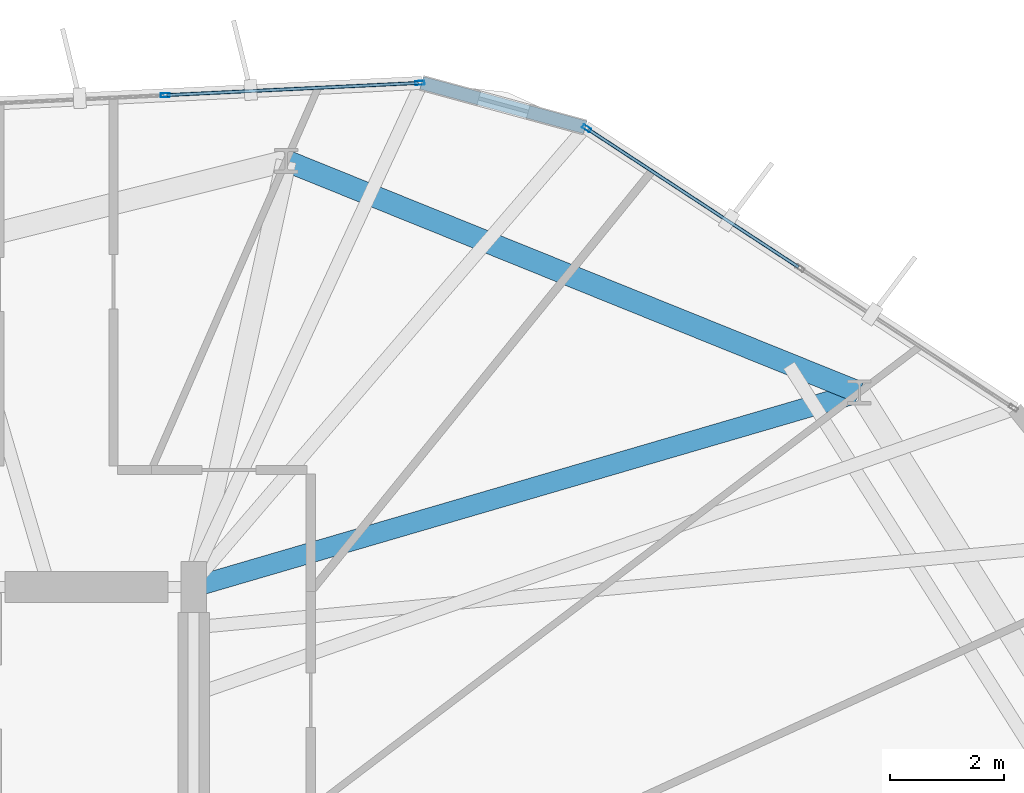
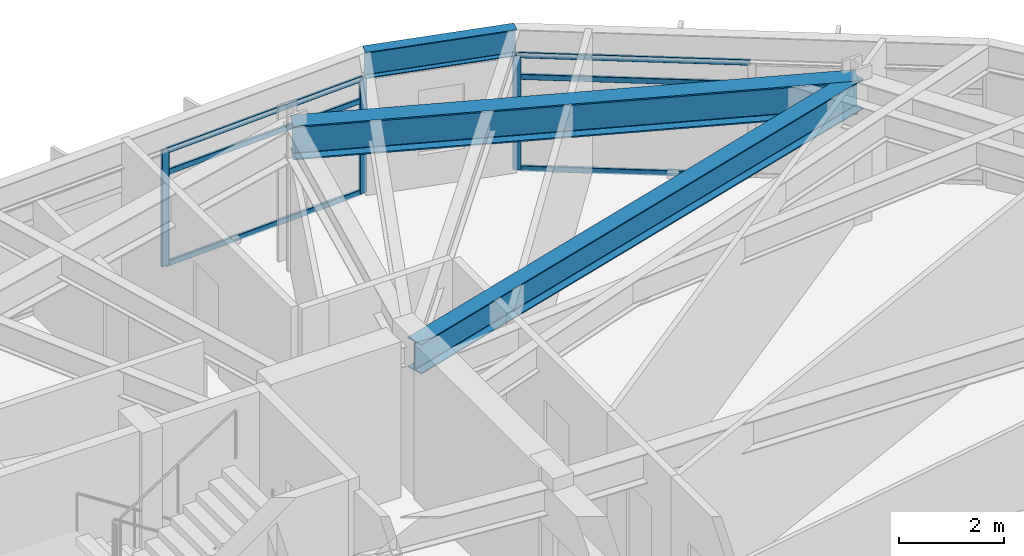
# One storey, part 15 of 23: 9 members, 3 beams, 2 elements without a shape of their own.
"""IFC4 building model written with IfcOpenShell, lengths in metres."""

from ifc_helpers import new_model, si_unit, direction, frame, origin, origin_2d, place, context, subcontext, project, spatial, hollow_rectangle, i_section, extrude, material, layer, layer_set, material_profile, profile_set, type_object, element, aggregate, save


model = new_model("IFC4")

# Units and contexts
model_context = context("Model", 3, precision=1e-05, world=origin(), true_north=direction((0.0, 1.0)))
body_context = subcontext(model_context, "Body", "Model", "MODEL_VIEW")
ifc_project = project(units=[si_unit("LENGTHUNIT", "METRE"), si_unit("AREAUNIT", "SQUARE_METRE"), si_unit("VOLUMEUNIT", "CUBIC_METRE"), si_unit("PLANEANGLEUNIT", "RADIAN"), si_unit("MASSUNIT", "GRAM", prefix="KILO")], contexts=[model_context])

# Site, building, storey
site_placement = place(None, origin())
site = spatial("IfcSite", under=ifc_project, at=site_placement, CompositionType="ELEMENT")
building_placement = place(site_placement, origin())
building = spatial("IfcBuilding", under=site, at=building_placement, Name="Soratama Intermodal Tower", CompositionType="ELEMENT")
storey_placement = place(building_placement, frame((0.0, 0.0, 175.0)))
storey = spatial("IfcBuildingStorey", under=building, at=storey_placement, Name="L43", CompositionType="ELEMENT", Elevation=175.0)

# Beams
ifc_material_1 = material(Name="Structural steel ASTM A992 Grade 50", Category="steel")
ifc_material_profile_1 = material_profile(ifc_material_1, i_section(OverallWidth=0.35498046875, OverallDepth=0.695068359375, WebThickness=0.015380859375, FlangeThickness=0.02490234375, FilletRadius=0.01611328125, at=origin_2d()), Name="W27X146")
ifc_profile_set_1 = profile_set([ifc_material_profile_1], Name="Structural steel ASTM A992 Grade 50")
beam_type_1 = type_object("IfcBeamType", Name="BM-RING-W27X146", PredefinedType="BEAM", material=ifc_profile_set_1)
beam_1_placement = place(storey_placement, frame((44.60009765625, 35.0, 2.952392578125), z_axis=(0.959813691047, 0.280637984738, 0.0), x_axis=(-0.280637984738, 0.959813691047, 0.0)))
element("IfcBeam", 1, at=beam_1_placement, inside=storey, type_object=beam_type_1, Name="BM-L43-RAD-02", PredefinedType="BEAM", context=body_context, shape_type="SweptSolid", body=[
    extrude(i_section(OverallWidth=0.35498046875, OverallDepth=0.695068359375, WebThickness=0.015380859375, FlangeThickness=0.02490234375, FilletRadius=0.01611328125, at=origin_2d()), origin(), (0.0, 0.0, 1.0), 12.13671875),
])
ifc_material_2 = material(Name="Structural steel ASTM A992 Grade 50", Category="steel")
ifc_material_profile_2 = material_profile(ifc_material_2, i_section(OverallWidth=0.382080078125, OverallDepth=0.779052734375, WebThickness=0.01806640625, FlangeThickness=0.030029296875, FilletRadius=0.01806640625, at=origin_2d()), Name="W30X191")
ifc_profile_set_2 = profile_set([ifc_material_profile_2], Name="Structural steel ASTM A992 Grade 50")
beam_type_2 = type_object("IfcBeamType", Name="BM-RING-W30X191", PredefinedType="BEAM", material=ifc_profile_set_2)
beam_2_placement = place(storey_placement, frame((56.2490234375, 38.406005859375, 2.910400390625), z_axis=(-0.927202491827, 0.374560461275, 0.0), x_axis=(-0.374560461275, -0.927202491827, 0.0)))
element("IfcBeam", 2, at=beam_2_placement, inside=storey, type_object=beam_type_2, Name="BM-L43-RING-02", PredefinedType="BEAM", context=body_context, shape_type="SweptSolid", body=[
    extrude(i_section(OverallWidth=0.382080078125, OverallDepth=0.779052734375, WebThickness=0.01806640625, FlangeThickness=0.030029296875, FilletRadius=0.01806640625, at=origin_2d()), origin(), (0.0, 0.0, 1.0), 10.8154296875),
])
ifc_material_3 = material(Name="Structural steel ASTM A992 Grade 50", Category="steel")
ifc_material_profile_3 = material_profile(ifc_material_3, i_section(OverallWidth=0.22900390625, OverallDepth=0.612060546875, WebThickness=0.011962890625, FlangeThickness=0.01953125, FilletRadius=0.012939453125, at=origin_2d()), Name="W24X84")
ifc_profile_set_3 = profile_set([ifc_material_profile_3], Name="Structural steel ASTM A992 Grade 50")
beam_type_3 = type_object("IfcBeamType", Name="BM-SPN-W24X84", PredefinedType="SPANDREL", material=ifc_profile_set_3)
beam_3_placement = place(storey_placement, frame((51.452880859375, 43.04296875, 2.993896484375), z_axis=(-0.964887186331, 0.262664648659, 0.0), x_axis=(-0.262664648659, -0.964887186331, 0.0)))
element("IfcBeam", 3, at=beam_3_placement, inside=storey, type_object=beam_type_3, Name="BS-L43-CRN01", PredefinedType="SPANDREL", context=body_context, shape_type="SweptSolid", body=[
    extrude(i_section(OverallWidth=0.22900390625, OverallDepth=0.612060546875, WebThickness=0.011962890625, FlangeThickness=0.01953125, FilletRadius=0.012939453125, at=origin_2d()), origin(), (0.0, 0.0, 1.0), 2.966064453125),
])

# Curtain wall, member
ifc_material_4 = material(Name="Double-glazed aluminium curtain wall", Category="aluminium")
ifc_layer = layer(ifc_material_4, 0.159912109375)
ifc_layer_set = layer_set([ifc_layer], Name="Double-glazed aluminium curtain wall")
curtain_wall_type = type_object("IfcCurtainWallType", Name="CW-SYS-4", PredefinedType="NOTDEFINED", material=ifc_layer_set)
curtain_wall_1_placement = place(storey_placement, origin())
curtain_wall_1 = element("IfcCurtainWall", 4, at=curtain_wall_1_placement, inside=storey, type_object=curtain_wall_type, Name="L43 Faceted Curtain Wall F01", PredefinedType="NOTDEFINED")
ifc_material_5 = material(Name="Anodised aluminium AA 6063-T6", Category="aluminium")
ifc_material_profile_4 = material_profile(ifc_material_5, hollow_rectangle(XDim=0.070068359375, YDim=0.159912109375, WallThickness=0.0048828125, InnerFilletRadius=0.0048828125, OuterFilletRadius=0.010009765625, at=origin_2d()), Name="CWM160X70X5")
ifc_profile_set_4 = profile_set([ifc_material_profile_4], Name="Anodised aluminium AA 6063-T6")
member_type_1 = type_object("IfcMemberType", Name="MT-CWM-4", PredefinedType="MULLION", material=ifc_profile_set_4)
member_1_placement = place(storey_placement, frame((51.47802734375, 43.026123046875, 0.0), z_axis=(0.0, 0.0, 1.0), x_axis=(-0.548141973426, -0.836385304133, 0.0)))
member_1 = element("IfcMember", 5, at=member_1_placement, type_object=member_type_1, Name="CW-4 mullion 3", PredefinedType="MULLION", context=body_context, shape_type="SweptSolid", body=[
    extrude(hollow_rectangle(XDim=0.070068359375, YDim=0.159912109375, WallThickness=0.0048828125, InnerFilletRadius=0.0048828125, OuterFilletRadius=0.010009765625, at=origin_2d()), origin(), (0.0, 0.0, 1.0), 2.678955078125),
])

# Curtain wall, members
curtain_wall_2_placement = place(storey_placement, origin())
curtain_wall_2 = element("IfcCurtainWall", 6, at=curtain_wall_2_placement, inside=storey, type_object=curtain_wall_type, Name="L43 Faceted Curtain Wall F02", PredefinedType="NOTDEFINED")
member_2_placement = place(storey_placement, frame((48.560791015625, 43.821044921875, 0.0), z_axis=(0.0, 0.0, 1.0), x_axis=(0.048154159913, -0.998839915544, 0.0)))
member_2 = element("IfcMember", 7, at=member_2_placement, type_object=member_type_1, Name="CW-4 mullion 1", PredefinedType="MULLION", context=body_context, shape_type="SweptSolid", body=[
    extrude(hollow_rectangle(XDim=0.070068359375, YDim=0.159912109375, WallThickness=0.0048828125, InnerFilletRadius=0.0048828125, OuterFilletRadius=0.010009765625, at=origin_2d()), origin(), (0.0, 0.0, 1.0), 2.678955078125),
])
member_3_placement = place(storey_placement, frame((44.10302734375, 43.60595703125, 0.0), z_axis=(0.0, 0.0, 1.0), x_axis=(0.048154159913, -0.998839915544, 0.0)))
member_3 = element("IfcMember", 8, at=member_3_placement, type_object=member_type_1, Name="CW-4 mullion 2", PredefinedType="MULLION", context=body_context, shape_type="SweptSolid", body=[
    extrude(hollow_rectangle(XDim=0.070068359375, YDim=0.159912109375, WallThickness=0.0048828125, InnerFilletRadius=0.0048828125, OuterFilletRadius=0.010009765625, at=origin_2d()), origin(), (0.0, 0.0, 1.0), 2.678955078125),
])

# Member
ifc_material_6 = material(Name="Anodised aluminium AA 6063-T6", Category="aluminium")
ifc_material_profile_5 = material_profile(ifc_material_6, hollow_rectangle(XDim=0.06005859375, YDim=0.1298828125, WallThickness=0.0048828125, InnerFilletRadius=0.0048828125, OuterFilletRadius=0.010009765625, at=origin_2d()), Name="CWT130X60X5")
ifc_profile_set_5 = profile_set([ifc_material_profile_5], Name="Anodised aluminium AA 6063-T6")
member_type_2 = type_object("IfcMemberType", Name="TT-CWT-2", PredefinedType="USERDEFINED", material=ifc_profile_set_5)
member_4_placement = place(storey_placement, frame((55.185546875, 40.59619140625, 0.030029296875), z_axis=(-0.836358563965, 0.54818277288, 0.0), x_axis=(-0.54818277288, -0.836358563965, 0.0)))
member_4 = element("IfcMember", 9, at=member_4_placement, type_object=member_type_2, Name="CW-4 transom 2.1", ObjectType="TRANSOM", PredefinedType="USERDEFINED", context=body_context, shape_type="SweptSolid", body=[
    extrude(hollow_rectangle(XDim=0.06005859375, YDim=0.1298828125, WallThickness=0.0048828125, InnerFilletRadius=0.0048828125, OuterFilletRadius=0.010009765625, at=origin_2d()), origin(), (0.0, 0.0, 1.0), 4.40283203125),
])

member_5_placement = place(storey_placement, frame((55.185546875, 40.59619140625, 2.14990234375), z_axis=(-0.836358563965, 0.54818277288, 0.0), x_axis=(-0.54818277288, -0.836358563965, 0.0)))
member_5 = element("IfcMember", 10, at=member_5_placement, type_object=member_type_2, Name="CW-4 transom 2.2", ObjectType="TRANSOM", PredefinedType="USERDEFINED", context=body_context, shape_type="SweptSolid", body=[
    extrude(hollow_rectangle(XDim=0.06005859375, YDim=0.1298828125, WallThickness=0.0048828125, InnerFilletRadius=0.0048828125, OuterFilletRadius=0.010009765625, at=origin_2d()), origin(), (0.0, 0.0, 1.0), 4.40283203125),
])

member_6_placement = place(storey_placement, frame((55.185546875, 40.59619140625, 2.64892578125), z_axis=(-0.836358563965, 0.54818277288, 0.0), x_axis=(-0.54818277288, -0.836358563965, 0.0)))
member_6 = element("IfcMember", 11, at=member_6_placement, type_object=member_type_2, Name="CW-4 transom 2.3", ObjectType="TRANSOM", PredefinedType="USERDEFINED", context=body_context, shape_type="SweptSolid", body=[
    extrude(hollow_rectangle(XDim=0.06005859375, YDim=0.1298828125, WallThickness=0.0048828125, InnerFilletRadius=0.0048828125, OuterFilletRadius=0.010009765625, at=origin_2d()), origin(), (0.0, 0.0, 1.0), 4.40283203125),
])

aggregate(curtain_wall_1, [member_1, member_4, member_5, member_6])

member_7_placement = place(storey_placement, frame((48.53076171875, 43.819580078125, 0.030029296875), z_axis=(-0.998838336911, -0.04818689362, 0.0), x_axis=(0.04818689362, -0.998838336911, 0.0)))
member_7 = element("IfcMember", 12, at=member_7_placement, type_object=member_type_2, Name="CW-4 transom 1.1", ObjectType="TRANSOM", PredefinedType="USERDEFINED", context=body_context, shape_type="SweptSolid", body=[
    extrude(hollow_rectangle(XDim=0.06005859375, YDim=0.1298828125, WallThickness=0.0048828125, InnerFilletRadius=0.0048828125, OuterFilletRadius=0.010009765625, at=origin_2d()), origin(), (0.0, 0.0, 1.0), 4.40283203125),
])

member_8_placement = place(storey_placement, frame((48.53076171875, 43.819580078125, 2.14990234375), z_axis=(-0.998838336911, -0.04818689362, 0.0), x_axis=(0.04818689362, -0.998838336911, 0.0)))
member_8 = element("IfcMember", 13, at=member_8_placement, type_object=member_type_2, Name="CW-4 transom 1.2", ObjectType="TRANSOM", PredefinedType="USERDEFINED", context=body_context, shape_type="SweptSolid", body=[
    extrude(hollow_rectangle(XDim=0.06005859375, YDim=0.1298828125, WallThickness=0.0048828125, InnerFilletRadius=0.0048828125, OuterFilletRadius=0.010009765625, at=origin_2d()), origin(), (0.0, 0.0, 1.0), 4.40283203125),
])

member_9_placement = place(storey_placement, frame((48.53076171875, 43.819580078125, 2.64892578125), z_axis=(-0.998838336911, -0.04818689362, 0.0), x_axis=(0.04818689362, -0.998838336911, 0.0)))
member_9 = element("IfcMember", 14, at=member_9_placement, type_object=member_type_2, Name="CW-4 transom 1.3", ObjectType="TRANSOM", PredefinedType="USERDEFINED", context=body_context, shape_type="SweptSolid", body=[
    extrude(hollow_rectangle(XDim=0.06005859375, YDim=0.1298828125, WallThickness=0.0048828125, InnerFilletRadius=0.0048828125, OuterFilletRadius=0.010009765625, at=origin_2d()), origin(), (0.0, 0.0, 1.0), 4.40283203125),
])

aggregate(curtain_wall_2, [member_2, member_3, member_7, member_8, member_9])

save(model, "model.ifc")
